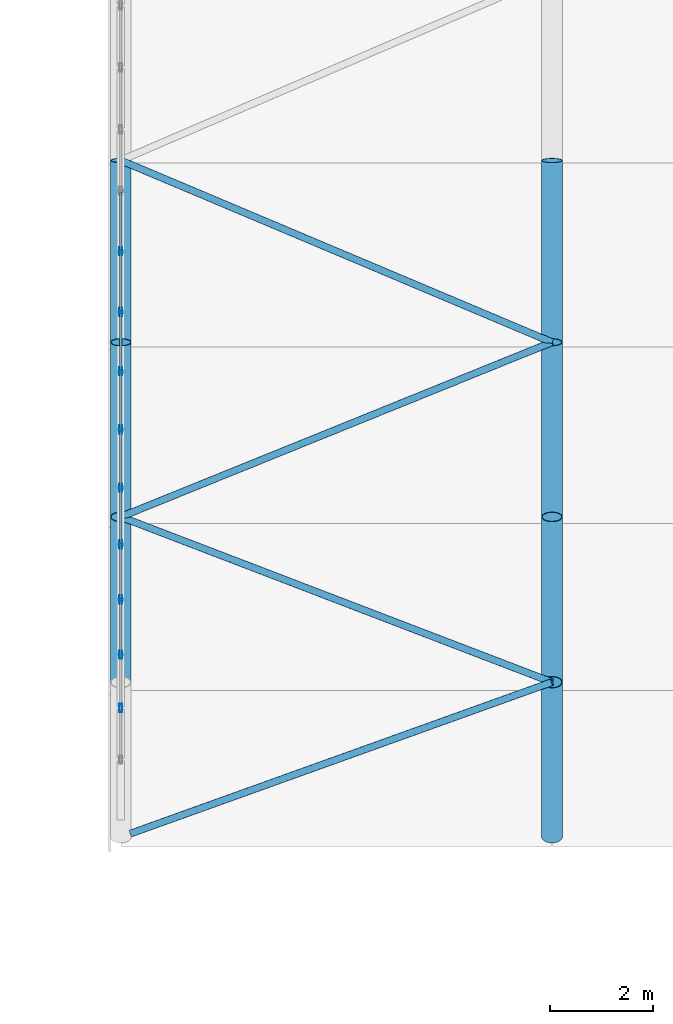
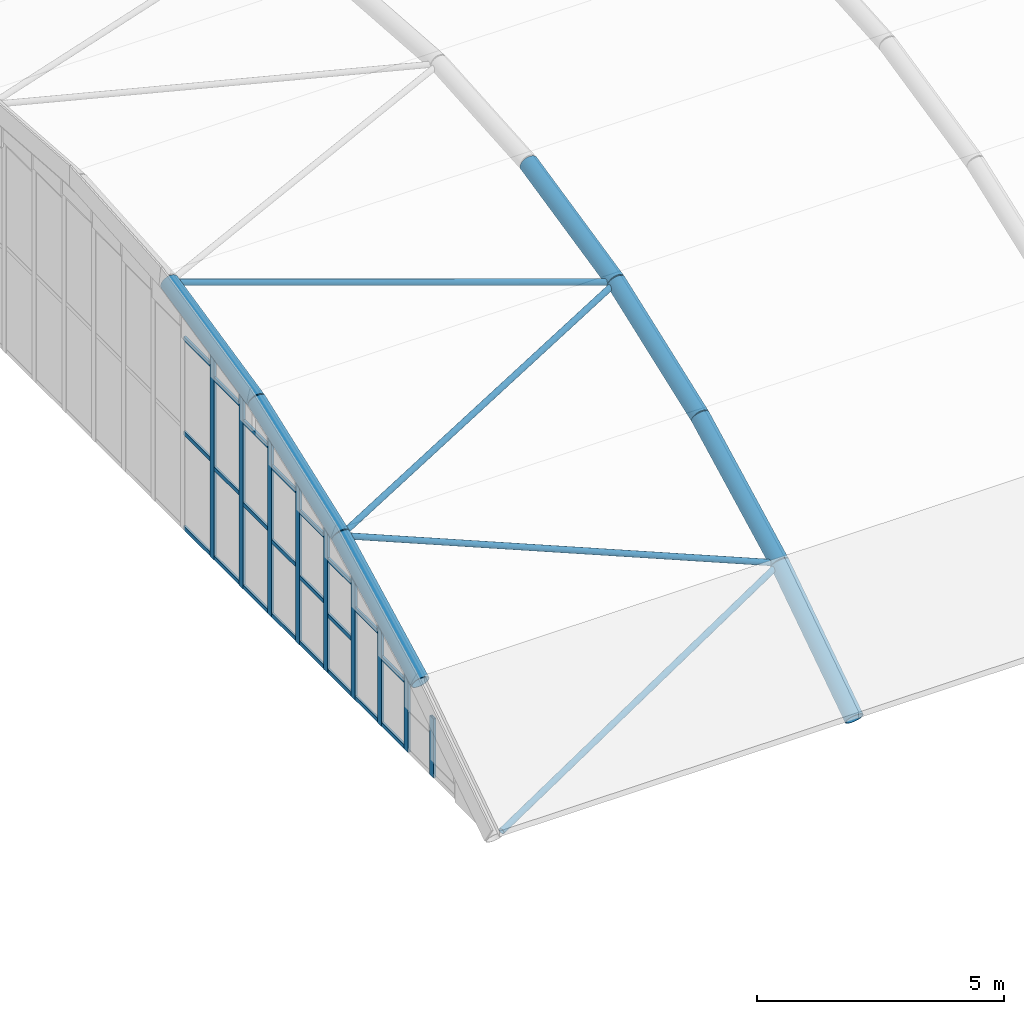
# One storey, part 7 of 77: 42 members, 1 element without a shape of its own.
"""IFC4 building model written with IfcOpenShell, lengths in metres."""

import ifcopenshell
import ifcopenshell.guid

model = None  # the IFC model being written
_history = None  # IfcOwnerHistory: only IFC2X3 demands one
_inside = {}  # id of a spatial element -> (the spatial element, [elements in it])
_under = {}  # id of a project, library or spatial element -> (it, [spatial elements below it])
_declared = {}  # id of a project -> (the project, [libraries it declares])
_typed = {}  # id of a type object -> (the type object, [elements of that type])
_made_of = {}  # id of a material, layer set ... -> (it, [elements and type objects made of it])


def new_model(schema):
    """Start an empty IFC model of exactly this schema.

    Asked for "IFC4X3", IfcOpenShell would pick the latest addendum, in which some entities
    have other attributes; the version numbers below select the first issue.
    IFC2X3 requires an IfcOwnerHistory on every rooted entity: one is made here for all.
    """
    global model, _history
    if schema == "IFC4X3":
        model = ifcopenshell.file(schema_version=(4, 3, 0, 0))
    else:
        model = ifcopenshell.file(schema=schema)
    _inside.clear()
    _under.clear()
    _declared.clear()
    _typed.clear()
    _made_of.clear()
    _history = None
    if model.schema == "IFC2X3":
        org = make("IfcOrganization", Name="unknown")
        user = make(
            "IfcPersonAndOrganization",
            ThePerson=make("IfcPerson", FamilyName="unknown"),
            TheOrganization=org,
        )
        app = make(
            "IfcApplication",
            ApplicationDeveloper=org,
            Version="unknown",
            ApplicationFullName="unknown",
            ApplicationIdentifier="unknown",
        )
        _history = make(
            "IfcOwnerHistory",
            OwningUser=user,
            OwningApplication=app,
            ChangeAction="ADDED",
            CreationDate=0,
        )
    return model


def make(cls, **values):
    """One entity of the class cls with the attributes given. An attribute that is None is left unset."""
    return model.create_entity(
        cls, **{name: value for name, value in values.items() if value is not None}
    )


def rooted(cls, **values):
    """An entity with a GlobalId (a new one), such as an element, a storey or a relation."""
    return make(cls, GlobalId=ifcopenshell.guid.new(), OwnerHistory=_history, **values)


def si_unit(unit_type, name, prefix=None):
    """IfcSIUnit, for example si_unit("LENGTHUNIT", "METRE", prefix="MILLI")."""
    return make("IfcSIUnit", UnitType=unit_type, Prefix=prefix, Name=name)


def assignment(units):
    """IfcUnitAssignment: the units of a project."""
    return None if units is None else make("IfcUnitAssignment", Units=units)


def point(xyz):
    """IfcCartesianPoint."""
    return None if xyz is None else make("IfcCartesianPoint", Coordinates=xyz)


def direction(xyz):
    """IfcDirection."""
    return None if xyz is None else make("IfcDirection", DirectionRatios=xyz)


def frame(location, z_axis=None, x_axis=None):
    """IfcAxis2Placement3D, a coordinate frame: its origin and axes. An axis left out is left unset."""
    return make(
        "IfcAxis2Placement3D",
        Location=point(location),
        Axis=direction(z_axis),
        RefDirection=direction(x_axis),
    )


def frame_2d(location, x_axis=None):
    """IfcAxis2Placement2D, a coordinate frame in the plane: its origin and x axis."""
    return make(
        "IfcAxis2Placement2D", Location=point(location), RefDirection=direction(x_axis)
    )


def origin():
    """The frame at (0, 0, 0) with its axes left unset."""
    return frame((0.0, 0.0, 0.0))


def origin_2d():
    """The frame at (0, 0) in the plane with its x axis left unset."""
    return frame_2d((0.0, 0.0))


def place(relative_to, where):
    """IfcLocalPlacement: puts the frame where relative to a parent placement (None: the world)."""
    return make(
        "IfcLocalPlacement", PlacementRelTo=relative_to, RelativePlacement=where
    )


def context(
    kind, dimensions, precision=None, world=None, true_north=None, identifier=None
):
    """IfcGeometricRepresentationContext, for example the 3D "Model" context."""
    return make(
        "IfcGeometricRepresentationContext",
        ContextIdentifier=identifier,
        ContextType=kind,
        CoordinateSpaceDimension=dimensions,
        Precision=precision,
        WorldCoordinateSystem=world,
        TrueNorth=true_north,
    )


def subcontext(parent, identifier, kind, view, scale=None):
    """IfcGeometricRepresentationSubContext, for example "Body" below "Model"."""
    return make(
        "IfcGeometricRepresentationSubContext",
        ContextIdentifier=identifier,
        ContextType=kind,
        ParentContext=parent,
        TargetScale=scale,
        TargetView=view,
    )


def project(units=None, contexts=None):
    """IfcProject with its units and contexts."""
    return rooted(
        "IfcProject",
        Name="project",
        RepresentationContexts=contexts,
        UnitsInContext=assignment(units),
    )


def spatial(cls, under=None, at=None, **own):
    """A site, building, storey or space (cls), placed at a placement, below another one or the project."""
    s = rooted(cls, ObjectPlacement=at, **own)
    if under is not None:
        _under.setdefault(under.id(), (under, []))[1].append(s)
    return s


def profile(cls, at=None, kind="AREA", **sizes):
    """A parametric profile (cls). Its sizes go by their IFC names, for example OverallWidth=200.0."""
    return make(cls, ProfileType=kind, Position=at, **sizes)


def hollow_rectangle(**sizes):
    """IfcRectangleHollowProfileDef."""
    return profile("IfcRectangleHollowProfileDef", **sizes)


def hollow_circle(**sizes):
    """IfcCircleHollowProfileDef."""
    return profile("IfcCircleHollowProfileDef", **sizes)


def extrude(swept, where, along, depth):
    """IfcExtrudedAreaSolid: the profile swept, set in the frame where, extruded along a direction by depth."""
    return make(
        "IfcExtrudedAreaSolid",
        SweptArea=swept,
        Position=where,
        ExtrudedDirection=direction(along),
        Depth=depth,
    )


def shape(context_of_items, identifier, shape_type, items):
    """IfcShapeRepresentation: the items that make up one representation, for example the "Body"."""
    return make(
        "IfcShapeRepresentation",
        ContextOfItems=context_of_items,
        RepresentationIdentifier=identifier,
        RepresentationType=shape_type,
        Items=items,
    )


def material(Name=None, Category=None):
    """IfcMaterial."""
    return make("IfcMaterial", Name=Name, Category=Category)


def material_profile(
    of_material, cross_section, Name=None, Category=None, Priority=None
):
    """IfcMaterialProfile: a cross section and its material."""
    return make(
        "IfcMaterialProfile",
        Name=Name,
        Material=of_material,
        Profile=cross_section,
        Priority=Priority,
        Category=Category,
    )


def profile_set(profiles, Name=None, composite=None):
    """IfcMaterialProfileSet."""
    return make(
        "IfcMaterialProfileSet",
        Name=Name,
        MaterialProfiles=profiles,
        CompositeProfile=composite,
    )


def made_of(thing, what):
    """Note that an element or type object is made of a material, layer set ...; save() writes the relation."""
    if what is not None:
        _made_of.setdefault(what.id(), (what, []))[1].append(thing)
    return thing


def type_object(cls, material=None, **own):
    """A type object (cls), such as IfcWallType, which elements share."""
    return made_of(rooted(cls, **own), material)


def element(
    cls,
    number,
    at=None,
    inside=None,
    cuts=None,
    type_object=None,
    material=None,
    context=None,
    identifier="Body",
    shape_type=None,
    held_by="IfcProductDefinitionShape",
    body=None,
    shapes=None,
    **own,
):
    """One element of the class cls, such as IfcWall. Its Tag is "e" and its number.

    at: its placement. inside: the storey or other place that contains it. cuts: it is an
    opening in that element (IfcRelVoidsElement). A single representation is given by context,
    identifier, shape_type and body (its items); several are given by shapes. held_by: the class
    of the entity that holds the representations. save() writes the other relations.
    """
    e = rooted(cls, Tag="e%d" % number, ObjectPlacement=at, **own)
    if body is not None:
        shapes = [shape(context, identifier, shape_type, body)]
    if shapes is not None:
        e.Representation = make(held_by, Representations=shapes)
    if inside is not None:
        _inside.setdefault(inside.id(), (inside, []))[1].append(e)
    if cuts is not None:
        rooted(
            "IfcRelVoidsElement", RelatingBuildingElement=cuts, RelatedOpeningElement=e
        )
    if type_object is not None:
        _typed.setdefault(type_object.id(), (type_object, []))[1].append(e)
    return made_of(e, material)


def aggregate(whole, parts):
    """IfcRelAggregates: a whole, such as a stair, and the parts it consists of."""
    return rooted("IfcRelAggregates", RelatingObject=whole, RelatedObjects=parts)


def save(model, path):
    """Write the relations noted so far, then the file.

    IfcRelAggregates (storeys below a building ...), IfcRelContainedInSpatialStructure (elements
    in a storey), IfcRelDefinesByType, IfcRelAssociatesMaterial and IfcRelDeclares: one each for
    every whole, place, type object, material and project.
    """
    for whole, parts in _under.values():
        aggregate(whole, parts)
    for where, things in _inside.values():
        rooted(
            "IfcRelContainedInSpatialStructure",
            RelatedElements=things,
            RelatingStructure=where,
        )
    for kind, things in _typed.values():
        rooted("IfcRelDefinesByType", RelatedObjects=things, RelatingType=kind)
    for what, things in _made_of.values():
        rooted("IfcRelAssociatesMaterial", RelatedObjects=things, RelatingMaterial=what)
    for by, libraries in _declared.values():
        rooted("IfcRelDeclares", RelatingContext=by, RelatedDefinitions=libraries)
    model.write(path)


model = new_model("IFC4")

# Units and contexts
model_context = context("Model", 3, precision=1e-05, world=origin(), true_north=direction((0.0, 1.0)))
body_context = subcontext(model_context, "Body", "Model", "MODEL_VIEW")
ifc_project = project(units=[si_unit("LENGTHUNIT", "METRE"), si_unit("AREAUNIT", "SQUARE_METRE"), si_unit("VOLUMEUNIT", "CUBIC_METRE"), si_unit("PLANEANGLEUNIT", "RADIAN"), si_unit("MASSUNIT", "GRAM", prefix="KILO")], contexts=[model_context])

# Site, building, storey
site_placement = place(None, origin())
site = spatial("IfcSite", under=ifc_project, at=site_placement, CompositionType="ELEMENT")
building_placement = place(site_placement, origin())
building = spatial("IfcBuilding", under=site, at=building_placement, Name="Catenary Quay Ferry Terminal", CompositionType="ELEMENT")
storey_placement = place(building_placement, frame((0.0, 0.0, 10.800048828125)))
storey = spatial("IfcBuildingStorey", under=building, at=storey_placement, Name="L02", CompositionType="ELEMENT", Elevation=10.800048828125)

# Members
ifc_material_1 = material(Name="Steel S355", Category="steel")
ifc_material_profile_1 = material_profile(ifc_material_1, hollow_circle(Radius=0.06982421875, WallThickness=0.008056640625, at=origin_2d()), Name="CHS 139.7x8")
ifc_profile_set_1 = profile_set([ifc_material_profile_1], Name="Steel S355")
member_type_1 = type_object("IfcMemberType", Name="BR1 CHS 139.7x8", PredefinedType="BRACE", material=ifc_profile_set_1)
member_1_placement = place(storey_placement, frame((25.39501953125, 67.27001953125, 0.046875), z_axis=(0.918047810509, 0.329844897402, 0.219978547311), x_axis=(-0.338127426869, 0.941100336414, 0.0)))
element("IfcMember", 1, at=member_1_placement, inside=storey, type_object=member_type_1, Name="Roof brace BR-VA-01-01", PredefinedType="BRACE", context=body_context, shape_type="SweptSolid", body=[
    extrude(hollow_circle(Radius=0.06982421875, WallThickness=0.008056640625, at=origin_2d()), origin(), (0.0, 0.0, 1.0), 8.9375),
])
member_2_placement = place(storey_placement, frame((33.60009765625, 70.218017578125, 2.012939453125), z_axis=(-0.918048391066, 0.3519092112, 0.182611770525), x_axis=(-0.357927730116, -0.933749291841, 0.0)))
element("IfcMember", 2, at=member_2_placement, inside=storey, type_object=member_type_1, Name="Roof brace BR-VA-01-02", PredefinedType="BRACE", context=body_context, shape_type="SweptSolid", body=[
    extrude(hollow_circle(Radius=0.06982421875, WallThickness=0.008056640625, at=origin_2d()), origin(), (0.0, 0.0, 1.0), 9.14990234375),
])
member_3_placement = place(storey_placement, frame((25.199951171875, 73.43798828125, 3.683837890625), z_axis=(0.918021685377, 0.371803184984, 0.137835324982), x_axis=(-0.375386186218, 0.926868497251, 0.0)))
element("IfcMember", 3, at=member_3_placement, inside=storey, type_object=member_type_1, Name="Roof brace BR-VA-01-03", PredefinedType="BRACE", context=body_context, shape_type="SweptSolid", body=[
    extrude(hollow_circle(Radius=0.06982421875, WallThickness=0.008056640625, at=origin_2d()), origin(), (0.0, 0.0, 1.0), 9.150390625),
])
member_4_placement = place(storey_placement, frame((33.60009765625, 76.840087890625, 4.945068359375), z_axis=(-0.918022334986, 0.387091813758, 0.085993721791), x_axis=(-0.388531057549, -0.921435628419, 0.0)))
element("IfcMember", 4, at=member_4_placement, inside=storey, type_object=member_type_1, Name="Roof brace BR-VA-01-04", PredefinedType="BRACE", context=body_context, shape_type="SweptSolid", body=[
    extrude(hollow_circle(Radius=0.06982421875, WallThickness=0.008056640625, at=origin_2d()), origin(), (0.0, 0.0, 1.0), 9.150146484375),
])

# Curtain wall, members
ifc_material_2 = material(Name="Aluminium and glass", Category="aluminium")
curtain_wall_type = type_object("IfcCurtainWallType", Name="CWA", PredefinedType="NOTDEFINED", material=ifc_material_2)
curtain_wall_placement = place(storey_placement, origin())
curtain_wall = element("IfcCurtainWall", 5, at=curtain_wall_placement, inside=storey, type_object=curtain_wall_type, Name="Arch arrivals hall curtain wall CW5", PredefinedType="NOTDEFINED")
ifc_material_3 = material(Name="Aluminium", Category="aluminium")
ifc_material_profile_2 = material_profile(ifc_material_3, hollow_rectangle(XDim=0.06005859375, YDim=0.159912109375, WallThickness=0.006103515625, at=origin_2d()), Name="MU5")
ifc_profile_set_2 = profile_set([ifc_material_profile_2], Name="Aluminium")
member_type_2 = type_object("IfcMemberType", Name="MU5", PredefinedType="MULLION", material=ifc_profile_set_2)
member_5_placement = place(storey_placement, frame((25.199951171875, 69.715087890625, 0.0), z_axis=(0.0, 0.0, 1.0), x_axis=(-1.0, 0.0, 0.0)))
member_5 = element("IfcMember", 6, at=member_5_placement, type_object=member_type_2, Name="CW5 mullion 2", PredefinedType="MULLION", context=body_context, shape_type="SweptSolid", body=[
    extrude(hollow_rectangle(XDim=0.06005859375, YDim=0.159912109375, WallThickness=0.006103515625, at=origin_2d()), origin(), (0.0, 0.0, 1.0), 1.45751953125),
])
member_6_placement = place(storey_placement, frame((25.199951171875, 70.754638671875, 0.0), z_axis=(0.0, 0.0, 1.0), x_axis=(-1.0, 0.0, 0.0)))
member_6 = element("IfcMember", 7, at=member_6_placement, type_object=member_type_2, Name="CW5 mullion 3", PredefinedType="MULLION", context=body_context, shape_type="SweptSolid", body=[
    extrude(hollow_rectangle(XDim=0.06005859375, YDim=0.159912109375, WallThickness=0.006103515625, at=origin_2d()), origin(), (0.0, 0.0, 1.0), 2.071533203125),
])
member_7_placement = place(storey_placement, frame((25.199951171875, 71.827880859375, 0.0), z_axis=(0.0, 0.0, 1.0), x_axis=(-1.0, 0.0, 0.0)))
member_7 = element("IfcMember", 8, at=member_7_placement, type_object=member_type_2, Name="CW5 mullion 4", PredefinedType="MULLION", context=body_context, shape_type="SweptSolid", body=[
    extrude(hollow_rectangle(XDim=0.06005859375, YDim=0.159912109375, WallThickness=0.006103515625, at=origin_2d()), origin(), (0.0, 0.0, 1.0), 2.62841796875),
])
member_8_placement = place(storey_placement, frame((25.199951171875, 72.9013671875, 0.0), z_axis=(0.0, 0.0, 1.0), x_axis=(-1.0, 0.0, 0.0)))
member_8 = element("IfcMember", 9, at=member_8_placement, type_object=member_type_2, Name="CW5 mullion 5", PredefinedType="MULLION", context=body_context, shape_type="SweptSolid", body=[
    extrude(hollow_rectangle(XDim=0.06005859375, YDim=0.159912109375, WallThickness=0.006103515625, at=origin_2d()), origin(), (0.0, 0.0, 1.0), 3.185546875),
])
member_9_placement = place(storey_placement, frame((25.199951171875, 74.0048828125, 0.0), z_axis=(0.0, 0.0, 1.0), x_axis=(-1.0, 0.0, 0.0)))
member_9 = element("IfcMember", 10, at=member_9_placement, type_object=member_type_2, Name="CW5 mullion 6", PredefinedType="MULLION", context=body_context, shape_type="SweptSolid", body=[
    extrude(hollow_rectangle(XDim=0.06005859375, YDim=0.159912109375, WallThickness=0.006103515625, at=origin_2d()), origin(), (0.0, 0.0, 1.0), 3.674072265625),
])
member_10_placement = place(storey_placement, frame((25.199951171875, 75.138916015625, 0.0), z_axis=(0.0, 0.0, 1.0), x_axis=(-1.0, 0.0, 0.0)))
member_10 = element("IfcMember", 11, at=member_10_placement, type_object=member_type_2, Name="CW5 mullion 7", PredefinedType="MULLION", context=body_context, shape_type="SweptSolid", body=[
    extrude(hollow_rectangle(XDim=0.06005859375, YDim=0.159912109375, WallThickness=0.006103515625, at=origin_2d()), origin(), (0.0, 0.0, 1.0), 4.094482421875),
])
member_11_placement = place(storey_placement, frame((25.199951171875, 76.27294921875, 0.0), z_axis=(0.0, 0.0, 1.0), x_axis=(-1.0, 0.0, 0.0)))
member_11 = element("IfcMember", 12, at=member_11_placement, type_object=member_type_2, Name="CW5 mullion 8", PredefinedType="MULLION", context=body_context, shape_type="SweptSolid", body=[
    extrude(hollow_rectangle(XDim=0.06005859375, YDim=0.159912109375, WallThickness=0.006103515625, at=origin_2d()), origin(), (0.0, 0.0, 1.0), 4.514892578125),
])
member_12_placement = place(storey_placement, frame((25.199951171875, 77.430419921875, 0.0), z_axis=(0.0, 0.0, 1.0), x_axis=(-1.0, 0.0, 0.0)))
member_12 = element("IfcMember", 13, at=member_12_placement, type_object=member_type_2, Name="CW5 mullion 9", PredefinedType="MULLION", context=body_context, shape_type="SweptSolid", body=[
    extrude(hollow_rectangle(XDim=0.06005859375, YDim=0.159912109375, WallThickness=0.006103515625, at=origin_2d()), origin(), (0.0, 0.0, 1.0), 4.856201171875),
])
member_13_placement = place(storey_placement, frame((25.199951171875, 78.611083984375, 0.0), z_axis=(0.0, 0.0, 1.0), x_axis=(-1.0, 0.0, 0.0)))
member_13 = element("IfcMember", 14, at=member_13_placement, type_object=member_type_2, Name="CW5 mullion 10", PredefinedType="MULLION", context=body_context, shape_type="SweptSolid", body=[
    extrude(hollow_rectangle(XDim=0.06005859375, YDim=0.159912109375, WallThickness=0.006103515625, at=origin_2d()), origin(), (0.0, 0.0, 1.0), 5.118408203125),
])
ifc_material_4 = material(Name="Aluminium", Category="aluminium")
ifc_material_profile_3 = material_profile(ifc_material_4, hollow_rectangle(XDim=0.050048828125, YDim=0.10009765625, WallThickness=0.00390625, at=origin_2d()), Name="TR4")
ifc_profile_set_3 = profile_set([ifc_material_profile_3], Name="Aluminium")
member_type_3 = type_object("IfcMemberType", Name="TR4", PredefinedType="USERDEFINED", material=ifc_profile_set_3)
member_14_placement = place(storey_placement, frame((25.199951171875, 70.78466796875, 0.050048828125), z_axis=(0.0, 1.0, 0.0), x_axis=(-1.0, 0.0, 0.0)))
member_14 = element("IfcMember", 15, at=member_14_placement, type_object=member_type_3, Name="CW5 transom 3.1", ObjectType="TRANSOM", PredefinedType="USERDEFINED", context=body_context, shape_type="SweptSolid", body=[
    extrude(hollow_rectangle(XDim=0.050048828125, YDim=0.10009765625, WallThickness=0.00390625, at=origin_2d()), origin(), (0.0, 0.0, 1.0), 1.013427734375),
])
member_15_placement = place(storey_placement, frame((25.199951171875, 70.78466796875, 1.681396484375), z_axis=(0.0, 1.0, 0.0), x_axis=(-1.0, 0.0, 0.0)))
member_15 = element("IfcMember", 16, at=member_15_placement, type_object=member_type_3, Name="CW5 transom 3.2", ObjectType="TRANSOM", PredefinedType="USERDEFINED", context=body_context, shape_type="SweptSolid", body=[
    extrude(hollow_rectangle(XDim=0.050048828125, YDim=0.10009765625, WallThickness=0.00390625, at=origin_2d()), origin(), (0.0, 0.0, 1.0), 1.013427734375),
])
member_16_placement = place(storey_placement, frame((25.199951171875, 71.85791015625, 0.050048828125), z_axis=(0.0, 1.0, 0.0), x_axis=(-1.0, 0.0, 0.0)))
member_16 = element("IfcMember", 17, at=member_16_placement, type_object=member_type_3, Name="CW5 transom 4.1", ObjectType="TRANSOM", PredefinedType="USERDEFINED", context=body_context, shape_type="SweptSolid", body=[
    extrude(hollow_rectangle(XDim=0.050048828125, YDim=0.10009765625, WallThickness=0.00390625, at=origin_2d()), origin(), (0.0, 0.0, 1.0), 1.013427734375),
])
member_17_placement = place(storey_placement, frame((25.199951171875, 71.85791015625, 2.238525390625), z_axis=(0.0, 1.0, 0.0), x_axis=(-1.0, 0.0, 0.0)))
member_17 = element("IfcMember", 18, at=member_17_placement, type_object=member_type_3, Name="CW5 transom 4.2", ObjectType="TRANSOM", PredefinedType="USERDEFINED", context=body_context, shape_type="SweptSolid", body=[
    extrude(hollow_rectangle(XDim=0.050048828125, YDim=0.10009765625, WallThickness=0.00390625, at=origin_2d()), origin(), (0.0, 0.0, 1.0), 1.013427734375),
])
member_18_placement = place(storey_placement, frame((25.199951171875, 72.931396484375, 0.050048828125), z_axis=(0.0, 1.0, 0.0), x_axis=(-1.0, 0.0, 0.0)))
member_18 = element("IfcMember", 19, at=member_18_placement, type_object=member_type_3, Name="CW5 transom 5.1", ObjectType="TRANSOM", PredefinedType="USERDEFINED", context=body_context, shape_type="SweptSolid", body=[
    extrude(hollow_rectangle(XDim=0.050048828125, YDim=0.10009765625, WallThickness=0.00390625, at=origin_2d()), origin(), (0.0, 0.0, 1.0), 1.043701171875),
])
member_19_placement = place(storey_placement, frame((25.199951171875, 72.931396484375, 1.422607421875), z_axis=(0.0, 1.0, 0.0), x_axis=(-1.0, 0.0, 0.0)))
member_19 = element("IfcMember", 20, at=member_19_placement, type_object=member_type_3, Name="CW5 transom 5.2", ObjectType="TRANSOM", PredefinedType="USERDEFINED", context=body_context, shape_type="SweptSolid", body=[
    extrude(hollow_rectangle(XDim=0.050048828125, YDim=0.10009765625, WallThickness=0.00390625, at=origin_2d()), origin(), (0.0, 0.0, 1.0), 1.043701171875),
])
member_20_placement = place(storey_placement, frame((25.199951171875, 72.931396484375, 2.79541015625), z_axis=(0.0, 1.0, 0.0), x_axis=(-1.0, 0.0, 0.0)))
member_20 = element("IfcMember", 21, at=member_20_placement, type_object=member_type_3, Name="CW5 transom 5.3", ObjectType="TRANSOM", PredefinedType="USERDEFINED", context=body_context, shape_type="SweptSolid", body=[
    extrude(hollow_rectangle(XDim=0.050048828125, YDim=0.10009765625, WallThickness=0.00390625, at=origin_2d()), origin(), (0.0, 0.0, 1.0), 1.043701171875),
])
member_21_placement = place(storey_placement, frame((25.199951171875, 74.034912109375, 0.050048828125), z_axis=(0.0, 1.0, 0.0), x_axis=(-1.0, 0.0, 0.0)))
member_21 = element("IfcMember", 22, at=member_21_placement, type_object=member_type_3, Name="CW5 transom 6.1", ObjectType="TRANSOM", PredefinedType="USERDEFINED", context=body_context, shape_type="SweptSolid", body=[
    extrude(hollow_rectangle(XDim=0.050048828125, YDim=0.10009765625, WallThickness=0.00390625, at=origin_2d()), origin(), (0.0, 0.0, 1.0), 1.073974609375),
])
member_22_placement = place(storey_placement, frame((25.199951171875, 74.034912109375, 1.6669921875), z_axis=(0.0, 1.0, 0.0), x_axis=(-1.0, 0.0, 0.0)))
member_22 = element("IfcMember", 23, at=member_22_placement, type_object=member_type_3, Name="CW5 transom 6.2", ObjectType="TRANSOM", PredefinedType="USERDEFINED", context=body_context, shape_type="SweptSolid", body=[
    extrude(hollow_rectangle(XDim=0.050048828125, YDim=0.10009765625, WallThickness=0.00390625, at=origin_2d()), origin(), (0.0, 0.0, 1.0), 1.073974609375),
])
member_23_placement = place(storey_placement, frame((25.199951171875, 74.034912109375, 3.2841796875), z_axis=(0.0, 1.0, 0.0), x_axis=(-1.0, 0.0, 0.0)))
member_23 = element("IfcMember", 24, at=member_23_placement, type_object=member_type_3, Name="CW5 transom 6.3", ObjectType="TRANSOM", PredefinedType="USERDEFINED", context=body_context, shape_type="SweptSolid", body=[
    extrude(hollow_rectangle(XDim=0.050048828125, YDim=0.10009765625, WallThickness=0.00390625, at=origin_2d()), origin(), (0.0, 0.0, 1.0), 1.073974609375),
])
member_24_placement = place(storey_placement, frame((25.199951171875, 75.1689453125, 0.050048828125), z_axis=(0.0, 1.0, 0.0), x_axis=(-1.0, 0.0, 0.0)))
member_24 = element("IfcMember", 25, at=member_24_placement, type_object=member_type_3, Name="CW5 transom 7.1", ObjectType="TRANSOM", PredefinedType="USERDEFINED", context=body_context, shape_type="SweptSolid", body=[
    extrude(hollow_rectangle(XDim=0.050048828125, YDim=0.10009765625, WallThickness=0.00390625, at=origin_2d()), origin(), (0.0, 0.0, 1.0), 1.073974609375),
])
member_25_placement = place(storey_placement, frame((25.199951171875, 75.1689453125, 1.877197265625), z_axis=(0.0, 1.0, 0.0), x_axis=(-1.0, 0.0, 0.0)))
member_25 = element("IfcMember", 26, at=member_25_placement, type_object=member_type_3, Name="CW5 transom 7.2", ObjectType="TRANSOM", PredefinedType="USERDEFINED", context=body_context, shape_type="SweptSolid", body=[
    extrude(hollow_rectangle(XDim=0.050048828125, YDim=0.10009765625, WallThickness=0.00390625, at=origin_2d()), origin(), (0.0, 0.0, 1.0), 1.073974609375),
])
member_26_placement = place(storey_placement, frame((25.199951171875, 75.1689453125, 3.704345703125), z_axis=(0.0, 1.0, 0.0), x_axis=(-1.0, 0.0, 0.0)))
member_26 = element("IfcMember", 27, at=member_26_placement, type_object=member_type_3, Name="CW5 transom 7.3", ObjectType="TRANSOM", PredefinedType="USERDEFINED", context=body_context, shape_type="SweptSolid", body=[
    extrude(hollow_rectangle(XDim=0.050048828125, YDim=0.10009765625, WallThickness=0.00390625, at=origin_2d()), origin(), (0.0, 0.0, 1.0), 1.073974609375),
])
member_27_placement = place(storey_placement, frame((25.199951171875, 76.302978515625, 0.050048828125), z_axis=(0.0, 1.0, 0.0), x_axis=(-1.0, 0.0, 0.0)))
member_27 = element("IfcMember", 28, at=member_27_placement, type_object=member_type_3, Name="CW5 transom 8.1", ObjectType="TRANSOM", PredefinedType="USERDEFINED", context=body_context, shape_type="SweptSolid", body=[
    extrude(hollow_rectangle(XDim=0.050048828125, YDim=0.10009765625, WallThickness=0.00390625, at=origin_2d()), origin(), (0.0, 0.0, 1.0), 1.097412109375),
])
member_28_placement = place(storey_placement, frame((25.199951171875, 76.302978515625, 2.08740234375), z_axis=(0.0, 1.0, 0.0), x_axis=(-1.0, 0.0, 0.0)))
member_28 = element("IfcMember", 29, at=member_28_placement, type_object=member_type_3, Name="CW5 transom 8.2", ObjectType="TRANSOM", PredefinedType="USERDEFINED", context=body_context, shape_type="SweptSolid", body=[
    extrude(hollow_rectangle(XDim=0.050048828125, YDim=0.10009765625, WallThickness=0.00390625, at=origin_2d()), origin(), (0.0, 0.0, 1.0), 1.097412109375),
])
member_29_placement = place(storey_placement, frame((25.199951171875, 76.302978515625, 4.124755859375), z_axis=(0.0, 1.0, 0.0), x_axis=(-1.0, 0.0, 0.0)))
member_29 = element("IfcMember", 30, at=member_29_placement, type_object=member_type_3, Name="CW5 transom 8.3", ObjectType="TRANSOM", PredefinedType="USERDEFINED", context=body_context, shape_type="SweptSolid", body=[
    extrude(hollow_rectangle(XDim=0.050048828125, YDim=0.10009765625, WallThickness=0.00390625, at=origin_2d()), origin(), (0.0, 0.0, 1.0), 1.097412109375),
])
member_30_placement = place(storey_placement, frame((25.199951171875, 77.46044921875, 0.050048828125), z_axis=(0.0, 1.0, 0.0), x_axis=(-1.0, 0.0, 0.0)))
member_30 = element("IfcMember", 31, at=member_30_placement, type_object=member_type_3, Name="CW5 transom 9.1", ObjectType="TRANSOM", PredefinedType="USERDEFINED", context=body_context, shape_type="SweptSolid", body=[
    extrude(hollow_rectangle(XDim=0.050048828125, YDim=0.10009765625, WallThickness=0.00390625, at=origin_2d()), origin(), (0.0, 0.0, 1.0), 1.12060546875),
])
member_31_placement = place(storey_placement, frame((25.199951171875, 77.46044921875, 2.258056640625), z_axis=(0.0, 1.0, 0.0), x_axis=(-1.0, 0.0, 0.0)))
member_31 = element("IfcMember", 32, at=member_31_placement, type_object=member_type_3, Name="CW5 transom 9.2", ObjectType="TRANSOM", PredefinedType="USERDEFINED", context=body_context, shape_type="SweptSolid", body=[
    extrude(hollow_rectangle(XDim=0.050048828125, YDim=0.10009765625, WallThickness=0.00390625, at=origin_2d()), origin(), (0.0, 0.0, 1.0), 1.12060546875),
])
member_32_placement = place(storey_placement, frame((25.199951171875, 77.46044921875, 4.466064453125), z_axis=(0.0, 1.0, 0.0), x_axis=(-1.0, 0.0, 0.0)))
member_32 = element("IfcMember", 33, at=member_32_placement, type_object=member_type_3, Name="CW5 transom 9.3", ObjectType="TRANSOM", PredefinedType="USERDEFINED", context=body_context, shape_type="SweptSolid", body=[
    extrude(hollow_rectangle(XDim=0.050048828125, YDim=0.10009765625, WallThickness=0.00390625, at=origin_2d()), origin(), (0.0, 0.0, 1.0), 1.12060546875),
])
member_33_placement = place(storey_placement, frame((25.199951171875, 78.64111328125, 0.050048828125), z_axis=(0.0, 1.0, 0.0), x_axis=(-1.0, 0.0, 0.0)))
member_33 = element("IfcMember", 34, at=member_33_placement, type_object=member_type_3, Name="CW5 transom 10.1", ObjectType="TRANSOM", PredefinedType="USERDEFINED", context=body_context, shape_type="SweptSolid", body=[
    extrude(hollow_rectangle(XDim=0.050048828125, YDim=0.10009765625, WallThickness=0.00390625, at=origin_2d()), origin(), (0.0, 0.0, 1.0), 1.12060546875),
])
member_34_placement = place(storey_placement, frame((25.199951171875, 78.64111328125, 2.38916015625), z_axis=(0.0, 1.0, 0.0), x_axis=(-1.0, 0.0, 0.0)))
member_34 = element("IfcMember", 35, at=member_34_placement, type_object=member_type_3, Name="CW5 transom 10.2", ObjectType="TRANSOM", PredefinedType="USERDEFINED", context=body_context, shape_type="SweptSolid", body=[
    extrude(hollow_rectangle(XDim=0.050048828125, YDim=0.10009765625, WallThickness=0.00390625, at=origin_2d()), origin(), (0.0, 0.0, 1.0), 1.12060546875),
])
member_35_placement = place(storey_placement, frame((25.199951171875, 78.64111328125, 4.728515625), z_axis=(0.0, 1.0, 0.0), x_axis=(-1.0, 0.0, 0.0)))
member_35 = element("IfcMember", 36, at=member_35_placement, type_object=member_type_3, Name="CW5 transom 10.3", ObjectType="TRANSOM", PredefinedType="USERDEFINED", context=body_context, shape_type="SweptSolid", body=[
    extrude(hollow_rectangle(XDim=0.050048828125, YDim=0.10009765625, WallThickness=0.00390625, at=origin_2d()), origin(), (0.0, 0.0, 1.0), 1.12060546875),
])
aggregate(curtain_wall, [member_5, member_6, member_7, member_8, member_9, member_10, member_11, member_12, member_13, member_14, member_15, member_16, member_17, member_18, member_19, member_20, member_21, member_22, member_23, member_24, member_25, member_26, member_27, member_28, member_29, member_30, member_31, member_32, member_33, member_34, member_35])

# Members
ifc_material_5 = material(Name="Steel S355", Category="steel")
ifc_material_profile_4 = material_profile(ifc_material_5, hollow_circle(Radius=0.203125, WallThickness=0.01611328125, at=origin_2d()), Name="CHS 406.4x16")
ifc_profile_set_4 = profile_set([ifc_material_profile_4], Name="Steel S355")
member_type_4 = type_object("IfcMemberType", Name="VR3 CHS 406.4x16", PredefinedType="RAFTER", material=ifc_profile_set_4)
member_36_placement = place(storey_placement, frame((25.199951171875, 70.218017578125, 2.012939453125), z_axis=(0.0, 0.887609848797, 0.460596088041), x_axis=(-1.0, 0.0, 0.0)))
element("IfcMember", 37, at=member_36_placement, inside=storey, type_object=member_type_4, Name="Vault rib VA-01-02", PredefinedType="RAFTER", context=body_context, shape_type="SweptSolid", body=[
    extrude(hollow_circle(Radius=0.203125, WallThickness=0.01611328125, at=origin_2d()), origin(), (0.0, 0.0, 1.0), 3.627685546875),
])
for number, where, z_axis, x_axis, name in (
    (38, (25.199951171875, 73.43798828125, 3.683837890625), (0.0, 0.937641576687, 0.347603615728), (-1.0, 0.0, 0.0), "Vault rib VA-01-03"),
    (39, (25.199951171875, 76.840087890625, 4.945068359375), (0.0, 0.976201307112, 0.216866336698), (-1.0, 0.0, 0.0), "Vault rib VA-01-04"),
):
    element("IfcMember", number, at=place(storey_placement, frame(where, z_axis=z_axis, x_axis=x_axis)), inside=storey, type_object=member_type_4, Name=name, PredefinedType="RAFTER", context=body_context, shape_type="SweptSolid", body=[
        extrude(hollow_circle(Radius=0.203125, WallThickness=0.01611328125, at=origin_2d()), origin(), (0.0, 0.0, 1.0), 3.62841796875),
    ])
for number, where, z_axis, x_axis, name in (
    (40, (33.60009765625, 67.199951171875, 0.0), (0.0, 0.831936388081, 0.554871017613), (-1.0, 0.0, 0.0), "Vault rib VA-02-01"),
    (41, (33.60009765625, 70.218017578125, 2.012939453125), (0.0, 0.887609848797, 0.460596088041), (-1.0, 0.0, 0.0), "Vault rib VA-02-02"),
):
    element("IfcMember", number, at=place(storey_placement, frame(where, z_axis=z_axis, x_axis=x_axis)), inside=storey, type_object=member_type_4, Name=name, PredefinedType="RAFTER", context=body_context, shape_type="SweptSolid", body=[
        extrude(hollow_circle(Radius=0.203125, WallThickness=0.01611328125, at=origin_2d()), origin(), (0.0, 0.0, 1.0), 3.627685546875),
    ])
for number, where, z_axis, x_axis, name in (
    (42, (33.60009765625, 73.43798828125, 3.683837890625), (0.0, 0.937641576687, 0.347603615728), (-1.0, 0.0, 0.0), "Vault rib VA-02-03"),
    (43, (33.60009765625, 76.840087890625, 4.945068359375), (0.0, 0.976201307112, 0.216866336698), (-1.0, 0.0, 0.0), "Vault rib VA-02-04"),
):
    element("IfcMember", number, at=place(storey_placement, frame(where, z_axis=z_axis, x_axis=x_axis)), inside=storey, type_object=member_type_4, Name=name, PredefinedType="RAFTER", context=body_context, shape_type="SweptSolid", body=[
        extrude(hollow_circle(Radius=0.203125, WallThickness=0.01611328125, at=origin_2d()), origin(), (0.0, 0.0, 1.0), 3.62841796875),
    ])

save(model, "model.ifc")
